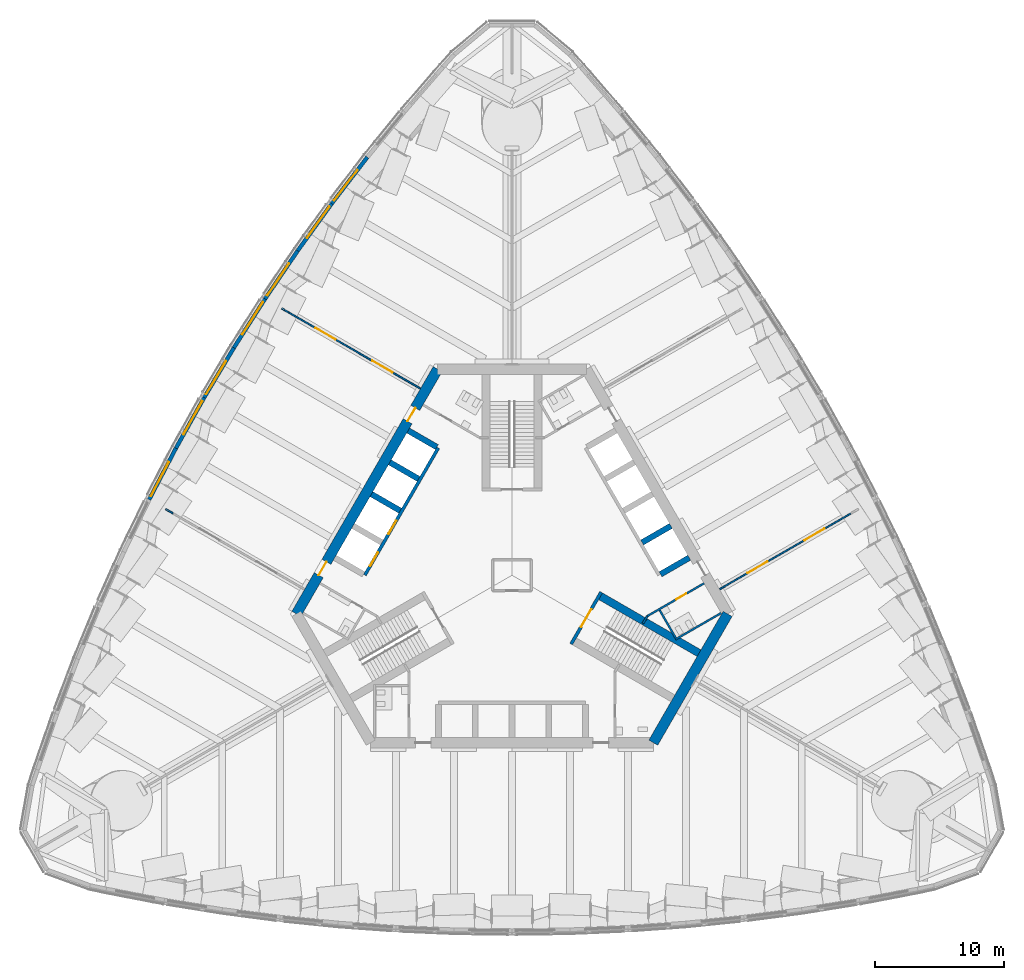
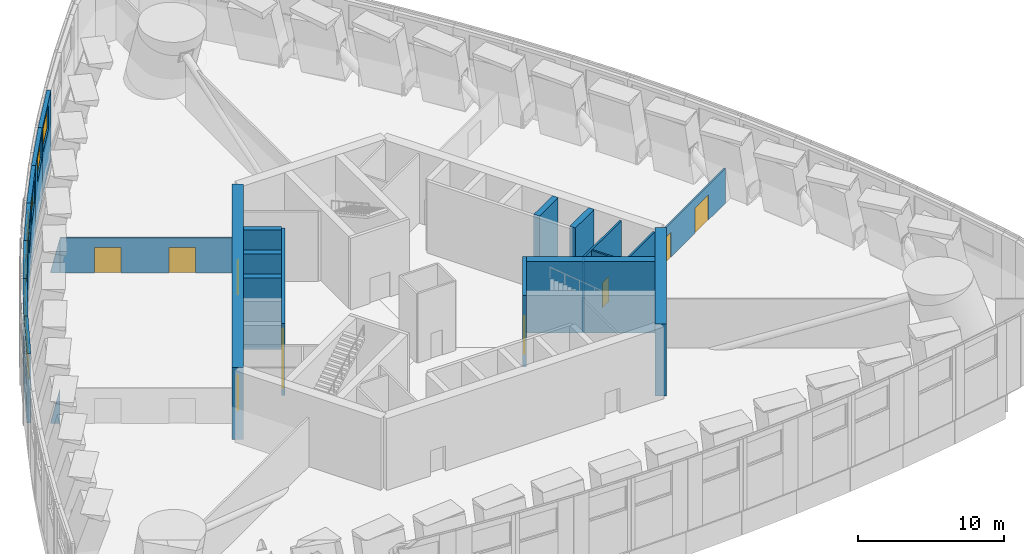
# One storey, part 9 of 28: 25 walls, 10 doors, 7 windows, 17 openings.
"""IFC4 building model written with IfcOpenShell, lengths in metres."""

import ifcopenshell
import ifcopenshell.guid

model = None  # the IFC model being written
_history = None  # IfcOwnerHistory: only IFC2X3 demands one
_inside = {}  # id of a spatial element -> (the spatial element, [elements in it])
_under = {}  # id of a project, library or spatial element -> (it, [spatial elements below it])
_declared = {}  # id of a project -> (the project, [libraries it declares])
_typed = {}  # id of a type object -> (the type object, [elements of that type])
_made_of = {}  # id of a material, layer set ... -> (it, [elements and type objects made of it])


def new_model(schema):
    """Start an empty IFC model of exactly this schema.

    Asked for "IFC4X3", IfcOpenShell would pick the latest addendum, in which some entities
    have other attributes; the version numbers below select the first issue.
    IFC2X3 requires an IfcOwnerHistory on every rooted entity: one is made here for all.
    """
    global model, _history
    if schema == "IFC4X3":
        model = ifcopenshell.file(schema_version=(4, 3, 0, 0))
    else:
        model = ifcopenshell.file(schema=schema)
    _inside.clear()
    _under.clear()
    _declared.clear()
    _typed.clear()
    _made_of.clear()
    _history = None
    if model.schema == "IFC2X3":
        org = make("IfcOrganization", Name="unknown")
        user = make(
            "IfcPersonAndOrganization",
            ThePerson=make("IfcPerson", FamilyName="unknown"),
            TheOrganization=org,
        )
        app = make(
            "IfcApplication",
            ApplicationDeveloper=org,
            Version="unknown",
            ApplicationFullName="unknown",
            ApplicationIdentifier="unknown",
        )
        _history = make(
            "IfcOwnerHistory",
            OwningUser=user,
            OwningApplication=app,
            ChangeAction="ADDED",
            CreationDate=0,
        )
    return model


def make(cls, **values):
    """One entity of the class cls with the attributes given. An attribute that is None is left unset."""
    return model.create_entity(
        cls, **{name: value for name, value in values.items() if value is not None}
    )


def rooted(cls, **values):
    """An entity with a GlobalId (a new one), such as an element, a storey or a relation."""
    return make(cls, GlobalId=ifcopenshell.guid.new(), OwnerHistory=_history, **values)


def si_unit(unit_type, name, prefix=None):
    """IfcSIUnit, for example si_unit("LENGTHUNIT", "METRE", prefix="MILLI")."""
    return make("IfcSIUnit", UnitType=unit_type, Prefix=prefix, Name=name)


def assignment(units):
    """IfcUnitAssignment: the units of a project."""
    return None if units is None else make("IfcUnitAssignment", Units=units)


def point(xyz):
    """IfcCartesianPoint."""
    return None if xyz is None else make("IfcCartesianPoint", Coordinates=xyz)


def direction(xyz):
    """IfcDirection."""
    return None if xyz is None else make("IfcDirection", DirectionRatios=xyz)


def frame(location, z_axis=None, x_axis=None):
    """IfcAxis2Placement3D, a coordinate frame: its origin and axes. An axis left out is left unset."""
    return make(
        "IfcAxis2Placement3D",
        Location=point(location),
        Axis=direction(z_axis),
        RefDirection=direction(x_axis),
    )


def frame_2d(location, x_axis=None):
    """IfcAxis2Placement2D, a coordinate frame in the plane: its origin and x axis."""
    return make(
        "IfcAxis2Placement2D", Location=point(location), RefDirection=direction(x_axis)
    )


def origin():
    """The frame at (0, 0, 0) with its axes left unset."""
    return frame((0.0, 0.0, 0.0))


def place(relative_to, where):
    """IfcLocalPlacement: puts the frame where relative to a parent placement (None: the world)."""
    return make(
        "IfcLocalPlacement", PlacementRelTo=relative_to, RelativePlacement=where
    )


def context(
    kind, dimensions, precision=None, world=None, true_north=None, identifier=None
):
    """IfcGeometricRepresentationContext, for example the 3D "Model" context."""
    return make(
        "IfcGeometricRepresentationContext",
        ContextIdentifier=identifier,
        ContextType=kind,
        CoordinateSpaceDimension=dimensions,
        Precision=precision,
        WorldCoordinateSystem=world,
        TrueNorth=true_north,
    )


def subcontext(parent, identifier, kind, view, scale=None):
    """IfcGeometricRepresentationSubContext, for example "Body" below "Model"."""
    return make(
        "IfcGeometricRepresentationSubContext",
        ContextIdentifier=identifier,
        ContextType=kind,
        ParentContext=parent,
        TargetScale=scale,
        TargetView=view,
    )


def project(units=None, contexts=None):
    """IfcProject with its units and contexts."""
    return rooted(
        "IfcProject",
        Name="project",
        RepresentationContexts=contexts,
        UnitsInContext=assignment(units),
    )


def spatial(cls, under=None, at=None, **own):
    """A site, building, storey or space (cls), placed at a placement, below another one or the project."""
    s = rooted(cls, ObjectPlacement=at, **own)
    if under is not None:
        _under.setdefault(under.id(), (under, []))[1].append(s)
    return s


def polyline(points):
    """IfcPolyline through the points."""
    return make("IfcPolyline", Points=[point(p) for p in points])


def profile(cls, at=None, kind="AREA", **sizes):
    """A parametric profile (cls). Its sizes go by their IFC names, for example OverallWidth=200.0."""
    return make(cls, ProfileType=kind, Position=at, **sizes)


def rectangle(**sizes):
    """IfcRectangleProfileDef."""
    return profile("IfcRectangleProfileDef", **sizes)


def outline(outer, holes=None, kind="AREA"):
    """IfcArbitraryClosedProfileDef: a profile drawn as a closed curve; with holes, ...WithVoids."""
    if holes is None:
        return make("IfcArbitraryClosedProfileDef", ProfileType=kind, OuterCurve=outer)
    return make(
        "IfcArbitraryProfileDefWithVoids",
        ProfileType=kind,
        OuterCurve=outer,
        InnerCurves=holes,
    )


def extrude(swept, where, along, depth):
    """IfcExtrudedAreaSolid: the profile swept, set in the frame where, extruded along a direction by depth."""
    return make(
        "IfcExtrudedAreaSolid",
        SweptArea=swept,
        Position=where,
        ExtrudedDirection=direction(along),
        Depth=depth,
    )


def shape(context_of_items, identifier, shape_type, items):
    """IfcShapeRepresentation: the items that make up one representation, for example the "Body"."""
    return make(
        "IfcShapeRepresentation",
        ContextOfItems=context_of_items,
        RepresentationIdentifier=identifier,
        RepresentationType=shape_type,
        Items=items,
    )


def material(Name=None, Category=None):
    """IfcMaterial."""
    return make("IfcMaterial", Name=Name, Category=Category)


def layer(
    of_material, thickness, ventilated=None, Name=None, Category=None, Priority=None
):
    """IfcMaterialLayer: one layer of a wall or slab, of a material (None: an air gap)."""
    return make(
        "IfcMaterialLayer",
        Material=of_material,
        LayerThickness=thickness,
        IsVentilated=ventilated,
        Name=Name,
        Category=Category,
        Priority=Priority,
    )


def layer_set(layers, Name=None):
    """IfcMaterialLayerSet."""
    return make("IfcMaterialLayerSet", MaterialLayers=layers, LayerSetName=Name)


def made_of(thing, what):
    """Note that an element or type object is made of a material, layer set ...; save() writes the relation."""
    if what is not None:
        _made_of.setdefault(what.id(), (what, []))[1].append(thing)
    return thing


def type_object(cls, material=None, **own):
    """A type object (cls), such as IfcWallType, which elements share."""
    return made_of(rooted(cls, **own), material)


def element(
    cls,
    number,
    at=None,
    inside=None,
    cuts=None,
    type_object=None,
    material=None,
    context=None,
    identifier="Body",
    shape_type=None,
    held_by="IfcProductDefinitionShape",
    body=None,
    shapes=None,
    **own,
):
    """One element of the class cls, such as IfcWall. Its Tag is "e" and its number.

    at: its placement. inside: the storey or other place that contains it. cuts: it is an
    opening in that element (IfcRelVoidsElement). A single representation is given by context,
    identifier, shape_type and body (its items); several are given by shapes. held_by: the class
    of the entity that holds the representations. save() writes the other relations.
    """
    e = rooted(cls, Tag="e%d" % number, ObjectPlacement=at, **own)
    if body is not None:
        shapes = [shape(context, identifier, shape_type, body)]
    if shapes is not None:
        e.Representation = make(held_by, Representations=shapes)
    if inside is not None:
        _inside.setdefault(inside.id(), (inside, []))[1].append(e)
    if cuts is not None:
        rooted(
            "IfcRelVoidsElement", RelatingBuildingElement=cuts, RelatedOpeningElement=e
        )
    if type_object is not None:
        _typed.setdefault(type_object.id(), (type_object, []))[1].append(e)
    return made_of(e, material)


def fill(opening, filler):
    """IfcRelFillsElement: the door or window that sits in an opening."""
    return rooted(
        "IfcRelFillsElement",
        RelatingOpeningElement=opening,
        RelatedBuildingElement=filler,
    )


def aggregate(whole, parts):
    """IfcRelAggregates: a whole, such as a stair, and the parts it consists of."""
    return rooted("IfcRelAggregates", RelatingObject=whole, RelatedObjects=parts)


def save(model, path):
    """Write the relations noted so far, then the file.

    IfcRelAggregates (storeys below a building ...), IfcRelContainedInSpatialStructure (elements
    in a storey), IfcRelDefinesByType, IfcRelAssociatesMaterial and IfcRelDeclares: one each for
    every whole, place, type object, material and project.
    """
    for whole, parts in _under.values():
        aggregate(whole, parts)
    for where, things in _inside.values():
        rooted(
            "IfcRelContainedInSpatialStructure",
            RelatedElements=things,
            RelatingStructure=where,
        )
    for kind, things in _typed.values():
        rooted("IfcRelDefinesByType", RelatedObjects=things, RelatingType=kind)
    for what, things in _made_of.values():
        rooted("IfcRelAssociatesMaterial", RelatedObjects=things, RelatingMaterial=what)
    for by, libraries in _declared.values():
        rooted("IfcRelDeclares", RelatingContext=by, RelatedDefinitions=libraries)
    model.write(path)


model = new_model("IFC4")

# Units and contexts
model_context = context("Model", 3, precision=1e-05, world=origin(), true_north=direction((0.0, 1.0)))
body_context = subcontext(model_context, "Body", "Model", "MODEL_VIEW")
ifc_project = project(units=[si_unit("LENGTHUNIT", "METRE"), si_unit("AREAUNIT", "SQUARE_METRE"), si_unit("VOLUMEUNIT", "CUBIC_METRE"), si_unit("PLANEANGLEUNIT", "RADIAN"), si_unit("MASSUNIT", "GRAM", prefix="KILO")], contexts=[model_context])

# Site, building, storey
site_placement = place(None, origin())
site = spatial("IfcSite", under=ifc_project, at=site_placement, CompositionType="ELEMENT")
building_placement = place(site_placement, origin())
building = spatial("IfcBuilding", under=site, at=building_placement, Name="Trefoil Bronze Tower", CompositionType="ELEMENT")
storey_placement = place(building_placement, frame((0.0, 0.0, 92.10009765625)))
storey = spatial("IfcBuildingStorey", under=building, at=storey_placement, Name="L21", CompositionType="ELEMENT", Elevation=92.10009765625)

# Wall, opening, window
ifc_material_1 = material(Name="Concrete B80", Category="concrete")
ifc_layer_1 = layer(ifc_material_1, 0.300048828125)
ifc_layer_set_1 = layer_set([ifc_layer_1], Name="Belt wall 300")
wall_type_1 = type_object("IfcWallType", Name="Belt wall 300", PredefinedType="SOLIDWALL", material=ifc_layer_set_1)
wall_1_placement = place(storey_placement, frame((-11.230224609375, 32.464599609375, 0.0), z_axis=(0.0, 0.0, 1.0), x_axis=(-0.608784932975, -0.79333530451, 0.0)))
wall_1 = element("IfcWall", 1, at=wall_1_placement, inside=storey, type_object=wall_type_1, Name="Belt wall T1.42", PredefinedType="SOLIDWALL", context=body_context, shape_type="SweptSolid", body=[
    extrude(rectangle(XDim=4.538818359375, YDim=0.300048828125, at=frame_2d((2.26953125, 0.0))), origin(), (0.0, 0.0, 1.0), 5.7998046875),
])
opening_1_placement = place(wall_1_placement, frame((1.23876953125, 0.0, 3.5)))
opening_1 = element("IfcOpeningElement", 2, at=opening_1_placement, cuts=wall_1, Name="Opening LV1", PredefinedType="OPENING", context=body_context, shape_type="SweptSolid", body=[
    extrude(rectangle(XDim=3.0, YDim=2.0, at=frame_2d((1.5, 1.0))), frame((0.0, 0.159912109375, 0.0), z_axis=(0.0, -1.0, 0.0), x_axis=(1.0, 0.0, 0.0)), (0.0, 0.0, 1.0), 0.320068359375),
])
ifc_material_2 = material(Name="Bronze-finish aluminium louvre", Category="aluminium")
window_type = type_object("IfcWindowType", Name="Plant louvre 3000", PartitioningType="SINGLE_PANEL", PredefinedType="USERDEFINED", material=ifc_material_2)
window_1_placement = place(opening_1_placement, origin())
window_1 = element("IfcWindow", 3, at=window_1_placement, inside=storey, type_object=window_type, Name="Plant louvre L21 F3.4.1", ObjectType="LOUVRE", OverallHeight=2.0, OverallWidth=3.0, PartitioningType="SINGLE_PANEL", PredefinedType="USERDEFINED", context=body_context, shape_type="SweptSolid", body=[
    extrude(rectangle(XDim=3.0, YDim=2.0, at=frame_2d((1.5, 1.0))), frame((0.0, 0.030029296875, 0.0), z_axis=(0.0, -1.0, 0.0), x_axis=(1.0, 0.0, 0.0)), (0.0, 0.0, 1.0), 0.06005859375),
])
fill(opening_1, window_1)

wall_2_placement = place(storey_placement, frame((-13.993408203125, 28.86376953125, 0.0), z_axis=(0.0, 0.0, 1.0), x_axis=(-0.585376255171, -0.810761765183, 0.0)))
wall_2 = element("IfcWall", 4, at=wall_2_placement, inside=storey, type_object=wall_type_1, Name="Belt wall T1.43", PredefinedType="SOLIDWALL", context=body_context, shape_type="SweptSolid", body=[
    extrude(rectangle(XDim=4.5234375, YDim=0.300048828125, at=frame_2d((2.26171875, 0.0))), origin(), (0.0, 0.0, 1.0), 5.7998046875),
])
opening_2_placement = place(wall_2_placement, frame((0.300048828125, 0.0, 3.5)))
opening_2 = element("IfcOpeningElement", 5, at=opening_2_placement, cuts=wall_2, Name="Opening LV1", PredefinedType="OPENING", context=body_context, shape_type="SweptSolid", body=[
    extrude(rectangle(XDim=3.0, YDim=2.0, at=frame_2d((1.5, 1.0))), frame((0.0, 0.159912109375, 0.0), z_axis=(0.0, -1.0, 0.0), x_axis=(1.0, 0.0, 0.0)), (0.0, 0.0, 1.0), 0.320068359375),
])
window_2_placement = place(opening_2_placement, origin())
window_2 = element("IfcWindow", 6, at=window_2_placement, inside=storey, type_object=window_type, Name="Plant louvre L21 F3.5.1", ObjectType="LOUVRE", OverallHeight=2.0, OverallWidth=3.0, PartitioningType="SINGLE_PANEL", PredefinedType="USERDEFINED", context=body_context, shape_type="SweptSolid", body=[
    extrude(rectangle(XDim=3.0, YDim=2.0, at=frame_2d((1.5, 1.0))), frame((0.0, 0.030029296875, 0.0), z_axis=(0.0, -1.0, 0.0), x_axis=(1.0, 0.0, 0.0)), (0.0, 0.0, 1.0), 0.06005859375),
])
fill(opening_2, window_2)

wall_3_placement = place(storey_placement, frame((-16.641357421875, 25.1962890625, 0.0), z_axis=(0.0, 0.0, 1.0), x_axis=(-0.561512004239, -0.827468591002, 0.0)))
wall_3 = element("IfcWall", 7, at=wall_3_placement, inside=storey, type_object=wall_type_1, Name="Belt wall T1.44", PredefinedType="SOLIDWALL", context=body_context, shape_type="SweptSolid", body=[
    extrude(rectangle(XDim=4.51171875, YDim=0.300048828125, at=frame_2d((2.255859375, 0.0))), origin(), (0.0, 0.0, 1.0), 5.7998046875),
])
opening_3_placement = place(wall_3_placement, frame((1.2119140625, 0.0, 3.5)))
opening_3 = element("IfcOpeningElement", 8, at=opening_3_placement, cuts=wall_3, Name="Opening LV1", PredefinedType="OPENING", context=body_context, shape_type="SweptSolid", body=[
    extrude(rectangle(XDim=3.0, YDim=2.0, at=frame_2d((1.5, 1.0))), frame((0.0, 0.159912109375, 0.0), z_axis=(0.0, -1.0, 0.0), x_axis=(1.0, 0.0, 0.0)), (0.0, 0.0, 1.0), 0.320068359375),
])
window_3_placement = place(opening_3_placement, origin())
window_3 = element("IfcWindow", 9, at=window_3_placement, inside=storey, type_object=window_type, Name="Plant louvre L21 F3.6.1", ObjectType="LOUVRE", OverallHeight=2.0, OverallWidth=3.0, PartitioningType="SINGLE_PANEL", PredefinedType="USERDEFINED", context=body_context, shape_type="SweptSolid", body=[
    extrude(rectangle(XDim=3.0, YDim=2.0, at=frame_2d((1.5, 1.0))), frame((0.0, 0.030029296875, 0.0), z_axis=(0.0, -1.0, 0.0), x_axis=(1.0, 0.0, 0.0)), (0.0, 0.0, 1.0), 0.06005859375),
])
fill(opening_3, window_3)

wall_4_placement = place(storey_placement, frame((-19.1748046875, 21.462890625, 0.0), z_axis=(0.0, 0.0, 1.0), x_axis=(-0.537243691336, -0.843427066272, 0.0)))
wall_4 = element("IfcWall", 10, at=wall_4_placement, inside=storey, type_object=wall_type_1, Name="Belt wall T1.45", PredefinedType="SOLIDWALL", context=body_context, shape_type="SweptSolid", body=[
    extrude(rectangle(XDim=4.50439453125, YDim=0.300048828125, at=frame_2d((2.252197265625, 0.0))), origin(), (0.0, 0.0, 1.0), 5.7998046875),
])
opening_4_placement = place(wall_4_placement, frame((0.300048828125, 0.0, 3.5)))
opening_4 = element("IfcOpeningElement", 11, at=opening_4_placement, cuts=wall_4, Name="Opening LV1", PredefinedType="OPENING", context=body_context, shape_type="SweptSolid", body=[
    extrude(rectangle(XDim=3.0, YDim=2.0, at=frame_2d((1.5, 1.0))), frame((0.0, 0.159912109375, 0.0), z_axis=(0.0, -1.0, 0.0), x_axis=(1.0, 0.0, 0.0)), (0.0, 0.0, 1.0), 0.320068359375),
])
window_4_placement = place(opening_4_placement, origin())
window_4 = element("IfcWindow", 12, at=window_4_placement, inside=storey, type_object=window_type, Name="Plant louvre L21 F3.7.1", ObjectType="LOUVRE", OverallHeight=2.0, OverallWidth=3.0, PartitioningType="SINGLE_PANEL", PredefinedType="USERDEFINED", context=body_context, shape_type="SweptSolid", body=[
    extrude(rectangle(XDim=3.0, YDim=2.0, at=frame_2d((1.5, 1.0))), frame((0.0, 0.030029296875, 0.0), z_axis=(0.0, -1.0, 0.0), x_axis=(1.0, 0.0, 0.0)), (0.0, 0.0, 1.0), 0.06005859375),
])
fill(opening_4, window_4)

wall_5_placement = place(storey_placement, frame((-21.5947265625, 17.663818359375, 0.0), z_axis=(0.0, 0.0, 1.0), x_axis=(-0.512483962191, -0.858696796604, 0.0)))
wall_5 = element("IfcWall", 13, at=wall_5_placement, inside=storey, type_object=wall_type_1, Name="Belt wall T1.46", PredefinedType="SOLIDWALL", context=body_context, shape_type="SweptSolid", body=[
    extrude(rectangle(XDim=4.50048828125, YDim=0.300048828125, at=frame_2d((2.250244140625, 0.0))), origin(), (0.0, 0.0, 1.0), 5.7998046875),
])
opening_5_placement = place(wall_5_placement, frame((1.200439453125, 0.0, 3.5)))
opening_5 = element("IfcOpeningElement", 14, at=opening_5_placement, cuts=wall_5, Name="Opening LV1", PredefinedType="OPENING", context=body_context, shape_type="SweptSolid", body=[
    extrude(rectangle(XDim=3.0, YDim=2.0, at=frame_2d((1.5, 1.0))), frame((0.0, 0.159912109375, 0.0), z_axis=(0.0, -1.0, 0.0), x_axis=(1.0, 0.0, 0.0)), (0.0, 0.0, 1.0), 0.320068359375),
])
window_5_placement = place(opening_5_placement, origin())
window_5 = element("IfcWindow", 15, at=window_5_placement, inside=storey, type_object=window_type, Name="Plant louvre L21 F3.8.1", ObjectType="LOUVRE", OverallHeight=2.0, OverallWidth=3.0, PartitioningType="SINGLE_PANEL", PredefinedType="USERDEFINED", context=body_context, shape_type="SweptSolid", body=[
    extrude(rectangle(XDim=3.0, YDim=2.0, at=frame_2d((1.5, 1.0))), frame((0.0, 0.030029296875, 0.0), z_axis=(0.0, -1.0, 0.0), x_axis=(1.0, 0.0, 0.0)), (0.0, 0.0, 1.0), 0.06005859375),
])
fill(opening_5, window_5)

wall_6_placement = place(storey_placement, frame((-23.901123046875, 13.79931640625, 0.0), z_axis=(0.0, 0.0, 1.0), x_axis=(-0.487415216275, -0.87317031955, 0.0)))
wall_6 = element("IfcWall", 16, at=wall_6_placement, inside=storey, type_object=wall_type_1, Name="Belt wall T1.47", PredefinedType="SOLIDWALL", context=body_context, shape_type="SweptSolid", body=[
    extrude(rectangle(XDim=4.50048828125, YDim=0.300048828125, at=frame_2d((2.250244140625, 0.0))), origin(), (0.0, 0.0, 1.0), 5.7998046875),
])
opening_6_placement = place(wall_6_placement, frame((0.300048828125, 0.0, 3.5)))
opening_6 = element("IfcOpeningElement", 17, at=opening_6_placement, cuts=wall_6, Name="Opening LV1", PredefinedType="OPENING", context=body_context, shape_type="SweptSolid", body=[
    extrude(rectangle(XDim=3.0, YDim=2.0, at=frame_2d((1.5, 1.0))), frame((0.0, 0.159912109375, 0.0), z_axis=(0.0, -1.0, 0.0), x_axis=(1.0, 0.0, 0.0)), (0.0, 0.0, 1.0), 0.320068359375),
])
window_6_placement = place(opening_6_placement, origin())
window_6 = element("IfcWindow", 18, at=window_6_placement, inside=storey, type_object=window_type, Name="Plant louvre L21 F3.9.1", ObjectType="LOUVRE", OverallHeight=2.0, OverallWidth=3.0, PartitioningType="SINGLE_PANEL", PredefinedType="USERDEFINED", context=body_context, shape_type="SweptSolid", body=[
    extrude(rectangle(XDim=3.0, YDim=2.0, at=frame_2d((1.5, 1.0))), frame((0.0, 0.030029296875, 0.0), z_axis=(0.0, -1.0, 0.0), x_axis=(1.0, 0.0, 0.0)), (0.0, 0.0, 1.0), 0.06005859375),
])
fill(opening_6, window_6)

wall_7_placement = place(storey_placement, frame((-26.0947265625, 9.86962890625, 0.0), z_axis=(0.0, 0.0, 1.0), x_axis=(-0.461810056307, -0.886978845235, 0.0)))
wall_7 = element("IfcWall", 19, at=wall_7_placement, inside=storey, type_object=wall_type_1, Name="Belt wall T1.48", PredefinedType="SOLIDWALL", context=body_context, shape_type="SweptSolid", body=[
    extrude(rectangle(XDim=4.504150390625, YDim=0.300048828125, at=frame_2d((2.251953125, 0.0))), origin(), (0.0, 0.0, 1.0), 5.7998046875),
])
opening_7_placement = place(wall_7_placement, frame((1.204345703125, 0.0, 3.5)))
opening_7 = element("IfcOpeningElement", 20, at=opening_7_placement, cuts=wall_7, Name="Opening LV1", PredefinedType="OPENING", context=body_context, shape_type="SweptSolid", body=[
    extrude(rectangle(XDim=3.0, YDim=2.0, at=frame_2d((1.5, 1.0))), frame((0.0, 0.159912109375, 0.0), z_axis=(0.0, -1.0, 0.0), x_axis=(1.0, 0.0, 0.0)), (0.0, 0.0, 1.0), 0.320068359375),
])
window_7_placement = place(opening_7_placement, origin())
window_7 = element("IfcWindow", 21, at=window_7_placement, inside=storey, type_object=window_type, Name="Plant louvre L21 F3.10.1", ObjectType="LOUVRE", OverallHeight=2.0, OverallWidth=3.0, PartitioningType="SINGLE_PANEL", PredefinedType="USERDEFINED", context=body_context, shape_type="SweptSolid", body=[
    extrude(rectangle(XDim=3.0, YDim=2.0, at=frame_2d((1.5, 1.0))), frame((0.0, 0.030029296875, 0.0), z_axis=(0.0, -1.0, 0.0), x_axis=(1.0, 0.0, 0.0)), (0.0, 0.0, 1.0), 0.06005859375),
])
fill(opening_7, window_7)

# Wall
ifc_material_3 = material(Name="Concrete B80", Category="concrete")
ifc_layer_2 = layer(ifc_material_3, 0.800048828125)
ifc_layer_set_2 = layer_set([ifc_layer_2], Name="Core wall 800")
wall_type_2 = type_object("IfcWallType", Name="Core wall 800", PredefinedType="SHEAR", material=ifc_layer_set_2)
wall_8_placement = place(storey_placement, frame((10.9697265625, -13.0, 0.0), z_axis=(0.0, 0.0, 1.0), x_axis=(0.499995765644, 0.866027848477, 0.0)))
element("IfcWall", 22, at=wall_8_placement, inside=storey, type_object=wall_type_2, Name="Core short wall 1 L21", PredefinedType="SHEAR", context=body_context, shape_type="SweptSolid", body=[
    extrude(rectangle(XDim=11.546875, YDim=0.800048828125, at=frame_2d((5.7734375, 0.0))), origin(), (0.0, 0.0, 1.0), 6.0),
])

# Wall, openings, doors
wall_9_placement = place(storey_placement, frame((-5.7734375, 16.0, 0.0), z_axis=(0.0, 0.0, 1.0), x_axis=(-0.500002442456, -0.866023993627, 0.0)))
wall_9 = element("IfcWall", 23, at=wall_9_placement, inside=storey, type_object=wall_type_2, Name="Core long wall 3 L21", PredefinedType="SHEAR", context=body_context, shape_type="SweptSolid", body=[
    extrude(rectangle(XDim=21.939453125, YDim=0.800048828125, at=frame_2d((10.9697265625, 0.0))), origin(), (0.0, 0.0, 1.0), 6.0),
])
opening_8_placement = place(wall_9_placement, frame((17.269775390625, 0.0, 0.0)))
opening_8 = element("IfcOpeningElement", 24, at=opening_8_placement, cuts=wall_9, Name="Opening D2", PredefinedType="OPENING", context=body_context, shape_type="SweptSolid", body=[
    extrude(rectangle(XDim=1.199951171875, YDim=2.10009765625, at=frame_2d((0.60009765625, 1.050048828125))), frame((0.0, 0.409912109375, 0.0), z_axis=(0.0, -1.0, 0.0), x_axis=(1.0, 0.0, 0.0)), (0.0, 0.0, 1.0), 0.820068359375),
])
opening_9_placement = place(wall_9_placement, frame((3.4697265625, 0.0, 0.0)))
opening_9 = element("IfcOpeningElement", 25, at=opening_9_placement, cuts=wall_9, Name="Opening D2", PredefinedType="OPENING", context=body_context, shape_type="SweptSolid", body=[
    extrude(rectangle(XDim=1.199951171875, YDim=2.10009765625, at=frame_2d((0.60009765625, 1.050048828125))), frame((0.0, 0.409912109375, 0.0), z_axis=(0.0, -1.0, 0.0), x_axis=(1.0, 0.0, 0.0)), (0.0, 0.0, 1.0), 0.820068359375),
])
ifc_material_4 = material(Name="Steel door", Category="steel")
door_type_1 = type_object("IfcDoorType", Name="Lobby door 1200", OperationType="SINGLE_SWING_RIGHT", PredefinedType="DOOR", material=ifc_material_4)
door_1_placement = place(opening_8_placement, origin())
door_1 = element("IfcDoor", 26, at=door_1_placement, inside=storey, type_object=door_type_1, Name="Lobby door F3+ L21", OperationType="SINGLE_SWING_RIGHT", OverallHeight=2.10009765625, OverallWidth=1.199951171875, PredefinedType="DOOR", context=body_context, shape_type="SweptSolid", body=[
    extrude(rectangle(XDim=1.199951171875, YDim=2.10009765625, at=frame_2d((0.60009765625, 1.050048828125))), frame((0.0, 0.02490234375, 0.0), z_axis=(0.0, -1.0, 0.0), x_axis=(1.0, 0.0, 0.0)), (0.0, 0.0, 1.0), 0.050048828125),
])
fill(opening_8, door_1)
door_2_placement = place(opening_9_placement, origin())
door_2 = element("IfcDoor", 27, at=door_2_placement, inside=storey, type_object=door_type_1, Name="Lobby door F3- L21", OperationType="SINGLE_SWING_LEFT", OverallHeight=2.10009765625, OverallWidth=1.199951171875, PredefinedType="DOOR", context=body_context, shape_type="SweptSolid", body=[
    extrude(rectangle(XDim=1.199951171875, YDim=2.10009765625, at=frame_2d((0.60009765625, 1.050048828125))), frame((0.0, 0.02490234375, 0.0), z_axis=(0.0, -1.0, 0.0), x_axis=(1.0, 0.0, 0.0)), (0.0, 0.0, 1.0), 0.050048828125),
])
fill(opening_9, door_2)

ifc_material_5 = material(Name="Glazed partition", Category="glass")
ifc_layer_3 = layer(ifc_material_5, 0.1201171875)
ifc_layer_set_3 = layer_set([ifc_layer_3], Name="Glazed partition 120")
wall_type_3 = type_object("IfcWallType", Name="Glazed partition 120", PredefinedType="PARTITIONING", material=ifc_layer_set_3)
wall_10_placement = place(storey_placement, frame((16.1220703125, -1.084228515625, 0.0), z_axis=(0.0, 0.0, 1.0), x_axis=(0.866023947468, 0.500002522405, 0.0)))
wall_10 = element("IfcWall", 28, at=wall_10_placement, inside=storey, type_object=wall_type_3, Name="Partition F2 L21", PredefinedType="PARTITIONING", context=body_context, shape_type="SweptSolid", body=[
    extrude(rectangle(XDim=11.771484375, YDim=0.1201171875, at=frame_2d((5.8857421875, 0.0))), origin(), (0.0, 0.0, 1.0), 2.89990234375),
])
opening_10_placement = place(wall_10_placement, frame((2.5, 0.0, 0.0)))
opening_10 = element("IfcOpeningElement", 29, at=opening_10_placement, cuts=wall_10, Name="Opening D10", PredefinedType="OPENING", context=body_context, shape_type="SweptSolid", body=[
    extrude(rectangle(XDim=1.800048828125, YDim=2.10009765625, at=frame_2d((0.89990234375, 1.050048828125))), frame((0.0, 0.070068359375, 0.0), z_axis=(0.0, -1.0, 0.0), x_axis=(1.0, 0.0, 0.0)), (0.0, 0.0, 1.0), 0.14013671875),
])
opening_11_placement = place(wall_10_placement, frame((7.60009765625, 0.0, 0.0)))
opening_11 = element("IfcOpeningElement", 30, at=opening_11_placement, cuts=wall_10, Name="Opening D10", PredefinedType="OPENING", context=body_context, shape_type="SweptSolid", body=[
    extrude(rectangle(XDim=1.800048828125, YDim=2.10009765625, at=frame_2d((0.89990234375, 1.050048828125))), frame((0.0, 0.070068359375, 0.0), z_axis=(0.0, -1.0, 0.0), x_axis=(1.0, 0.0, 0.0)), (0.0, 0.0, 1.0), 0.14013671875),
])
ifc_material_6 = material(Name="Timber door", Category="wood")
door_type_2 = type_object("IfcDoorType", Name="Double door 1800", OperationType="DOUBLE_DOOR_SINGLE_SWING", PredefinedType="DOOR", material=ifc_material_6)
door_3_placement = place(opening_10_placement, origin())
door_3 = element("IfcDoor", 31, at=door_3_placement, inside=storey, type_object=door_type_2, Name="Water treatment plant room door F2 L21", OperationType="DOUBLE_DOOR_SINGLE_SWING", OverallHeight=2.10009765625, OverallWidth=1.800048828125, PredefinedType="DOOR", context=body_context, shape_type="SweptSolid", body=[
    extrude(rectangle(XDim=1.800048828125, YDim=2.10009765625, at=frame_2d((0.89990234375, 1.050048828125))), frame((0.0, 0.02490234375, 0.0), z_axis=(0.0, -1.0, 0.0), x_axis=(1.0, 0.0, 0.0)), (0.0, 0.0, 1.0), 0.050048828125),
])
fill(opening_10, door_3)
door_4_placement = place(opening_11_placement, origin())
door_4 = element("IfcDoor", 32, at=door_4_placement, inside=storey, type_object=door_type_2, Name="Water treatment plant room door F2 L21", OperationType="DOUBLE_DOOR_SINGLE_SWING", OverallHeight=2.10009765625, OverallWidth=1.800048828125, PredefinedType="DOOR", context=body_context, shape_type="SweptSolid", body=[
    extrude(rectangle(XDim=1.800048828125, YDim=2.10009765625, at=frame_2d((0.89990234375, 1.050048828125))), frame((0.0, 0.02490234375, 0.0), z_axis=(0.0, -1.0, 0.0), x_axis=(1.0, 0.0, 0.0)), (0.0, 0.0, 1.0), 0.050048828125),
])
fill(opening_11, door_4)

# Walls
wall_11_placement = place(storey_placement, frame((-26.31640625, 4.801513671875, 0.0), z_axis=(0.0, 0.0, 1.0), x_axis=(-0.866073599808, 0.499916512745, 0.0)))
element("IfcWall", 33, at=wall_11_placement, inside=storey, type_object=wall_type_3, Name="Partition F3 L21", PredefinedType="PARTITIONING", context=body_context, shape_type="SweptSolid", body=[
    extrude(outline(polyline([(0.0, 0.0), (0.6533203125, 0.0), (0.6533203125, 0.0498046875), (0.0, 2.89990234375), (0.0, 0.0)])), frame((0.0, 0.06005859375, 0.0), z_axis=(0.0, -1.0, 0.0), x_axis=(1.0, 0.0, 0.0)), (0.0, 0.0, 1.0), 0.1201171875),
])
wall_12_placement = place(storey_placement, frame((-17.31640625, 20.389892578125, 0.0), z_axis=(0.0, 0.0, 1.0), x_axis=(-0.865911816314, 0.500196687681, 0.0)))
element("IfcWall", 34, at=wall_12_placement, inside=storey, type_object=wall_type_3, Name="Partition F3 L21", PredefinedType="PARTITIONING", context=body_context, shape_type="SweptSolid", body=[
    extrude(outline(polyline([(0.0, 0.0), (0.653564453125, 0.0), (0.6533203125, 0.0498046875), (0.0, 2.89990234375), (0.0, 0.0)])), frame((0.0, 0.06005859375, 0.0), z_axis=(0.0, -1.0, 0.0), x_axis=(1.0, 0.0, 0.0)), (0.0, 0.0, 1.0), 0.1201171875),
])

# Wall, openings, doors
wall_13_placement = place(storey_placement, frame((-7.1220703125, 14.504150390625, 0.0), z_axis=(0.0, 0.0, 1.0), x_axis=(-0.866023947468, 0.500002522405, 0.0)))
wall_13 = element("IfcWall", 35, at=wall_13_placement, inside=storey, type_object=wall_type_3, Name="Partition F3 L21", PredefinedType="PARTITIONING", context=body_context, shape_type="SweptSolid", body=[
    extrude(rectangle(XDim=11.771484375, YDim=0.1201171875, at=frame_2d((5.8857421875, 0.0))), origin(), (0.0, 0.0, 1.0), 2.89990234375),
])
opening_12_placement = place(wall_13_placement, frame((2.5, 0.0, 0.0)))
opening_12 = element("IfcOpeningElement", 36, at=opening_12_placement, cuts=wall_13, Name="Opening D10", PredefinedType="OPENING", context=body_context, shape_type="SweptSolid", body=[
    extrude(rectangle(XDim=1.800048828125, YDim=2.10009765625, at=frame_2d((0.89990234375, 1.050048828125))), frame((0.0, 0.070068359375, 0.0), z_axis=(0.0, -1.0, 0.0), x_axis=(1.0, 0.0, 0.0)), (0.0, 0.0, 1.0), 0.14013671875),
])
opening_13_placement = place(wall_13_placement, frame((7.60009765625, 0.0, 0.0)))
opening_13 = element("IfcOpeningElement", 37, at=opening_13_placement, cuts=wall_13, Name="Opening D10", PredefinedType="OPENING", context=body_context, shape_type="SweptSolid", body=[
    extrude(rectangle(XDim=1.800048828125, YDim=2.10009765625, at=frame_2d((0.89990234375, 1.050048828125))), frame((0.0, 0.070068359375, 0.0), z_axis=(0.0, -1.0, 0.0), x_axis=(1.0, 0.0, 0.0)), (0.0, 0.0, 1.0), 0.14013671875),
])
door_5_placement = place(opening_12_placement, origin())
door_5 = element("IfcDoor", 38, at=door_5_placement, inside=storey, type_object=door_type_2, Name="Transformer plant room door F3 L21", OperationType="DOUBLE_DOOR_SINGLE_SWING", OverallHeight=2.10009765625, OverallWidth=1.800048828125, PredefinedType="DOOR", context=body_context, shape_type="SweptSolid", body=[
    extrude(rectangle(XDim=1.800048828125, YDim=2.10009765625, at=frame_2d((0.89990234375, 1.050048828125))), frame((0.0, 0.02490234375, 0.0), z_axis=(0.0, -1.0, 0.0), x_axis=(1.0, 0.0, 0.0)), (0.0, 0.0, 1.0), 0.050048828125),
])
fill(opening_12, door_5)
door_6_placement = place(opening_13_placement, origin())
door_6 = element("IfcDoor", 39, at=door_6_placement, inside=storey, type_object=door_type_2, Name="Transformer plant room door F3 L21", OperationType="DOUBLE_DOOR_SINGLE_SWING", OverallHeight=2.10009765625, OverallWidth=1.800048828125, PredefinedType="DOOR", context=body_context, shape_type="SweptSolid", body=[
    extrude(rectangle(XDim=1.800048828125, YDim=2.10009765625, at=frame_2d((0.89990234375, 1.050048828125))), frame((0.0, 0.02490234375, 0.0), z_axis=(0.0, -1.0, 0.0), x_axis=(1.0, 0.0, 0.0)), (0.0, 0.0, 1.0), 0.050048828125),
])
fill(opening_13, door_6)

# Walls
ifc_material_7 = material(Name="Concrete B80", Category="concrete")
ifc_layer_4 = layer(ifc_material_7, 0.449951171875)
ifc_layer_set_4 = layer_set([ifc_layer_4], Name="Outrigger shaft wall 450")
wall_type_4 = type_object("IfcWallType", Name="Outrigger shaft wall 450", PredefinedType="SHEAR", material=ifc_layer_set_4)
for number, where, z_axis, x_axis, name in (
    (40, (11.531982421875, 0.076171875, 0.0), (0.0, 0.0, 1.0), (0.866005588531, 0.500034319456, 0.0), "Lift shaft side wall B0 L21"),
    (41, (10.10693359375, 2.54443359375, 0.0), (0.0, 0.0, 1.0), (0.866046643894, 0.499963209246, 0.0), "Lift shaft side wall B1 L21"),
):
    element("IfcWall", number, at=place(storey_placement, frame(where, z_axis=z_axis, x_axis=x_axis)), inside=storey, type_object=wall_type_4, Name=name, PredefinedType="SHEAR", context=body_context, shape_type="SweptSolid", body=[
        extrude(rectangle(XDim=2.574951171875, YDim=0.449951171875, at=frame_2d((1.28759765625, 0.0))), origin(), (0.0, 0.0, 1.0), 6.0),
    ])
wall_14_placement = place(storey_placement, frame((-5.831787109375, 9.94873046875, 0.0), z_axis=(0.0, 0.0, 1.0), x_axis=(-0.866029291668, 0.499993265928, 0.0)))
element("IfcWall", 42, at=wall_14_placement, inside=storey, type_object=wall_type_4, Name="Lift shaft side wall C0 L21", PredefinedType="SHEAR", context=body_context, shape_type="SweptSolid", body=[
    extrude(rectangle(XDim=2.5751953125, YDim=0.449951171875, at=frame_2d((1.28759765625, 0.0))), origin(), (0.0, 0.0, 1.0), 6.0),
])
for number, where, z_axis, x_axis, name in (
    (43, (-7.2568359375, 7.480712890625, 0.0), (0.0, 0.0, 1.0), (-0.866046643894, 0.499963209246, 0.0), "Lift shaft side wall C1 L21"),
    (44, (-8.681884765625, 5.012451171875, 0.0), (0.0, 0.0, 1.0), (-0.866005588531, 0.500034319456, 0.0), "Lift shaft side wall C2 L21"),
):
    element("IfcWall", number, at=place(storey_placement, frame(where, z_axis=z_axis, x_axis=x_axis)), inside=storey, type_object=wall_type_4, Name=name, PredefinedType="SHEAR", context=body_context, shape_type="SweptSolid", body=[
        extrude(rectangle(XDim=2.574951171875, YDim=0.449951171875, at=frame_2d((1.28759765625, 0.0))), origin(), (0.0, 0.0, 1.0), 6.0),
    ])

# Wall, opening, door
ifc_material_8 = material(Name="Gypsum board on steel studs", Category="steel")
ifc_layer_5 = layer(ifc_material_8, 0.14990234375)
ifc_layer_set_5 = layer_set([ifc_layer_5], Name="Partition 150")
wall_type_5 = type_object("IfcWallType", Name="Partition 150", PredefinedType="PARTITIONING", material=ifc_layer_set_5)
wall_15_placement = place(storey_placement, frame((10.4951171875, -3.17822265625, 0.0), z_axis=(0.0, 0.0, 1.0), x_axis=(0.86602216432, 0.500005610874, 0.0)))
wall_15 = element("IfcWall", 45, at=wall_15_placement, inside=storey, type_object=wall_type_5, Name="Passage wall F2- L21", PredefinedType="PARTITIONING", context=body_context, shape_type="SweptSolid", body=[
    extrude(rectangle(XDim=5.10009765625, YDim=0.14990234375, at=frame_2d((2.550048828125, 0.0))), origin(), (0.0, 0.0, 1.0), 5.7998046875),
])
opening_14_placement = place(wall_15_placement, frame((2.60009765625, 0.0, 0.0)))
opening_14 = element("IfcOpeningElement", 46, at=opening_14_placement, cuts=wall_15, Name="Opening D3", PredefinedType="OPENING", context=body_context, shape_type="SweptSolid", body=[
    extrude(rectangle(XDim=0.89990234375, YDim=2.10009765625, at=frame_2d((0.449951171875, 1.050048828125))), frame((0.0, 0.0849609375, 0.0), z_axis=(0.0, -1.0, 0.0), x_axis=(1.0, 0.0, 0.0)), (0.0, 0.0, 1.0), 0.169921875),
])
ifc_material_9 = material(Name="Timber door", Category="wood")
door_type_3 = type_object("IfcDoorType", Name="WC door 900", OperationType="SINGLE_SWING_LEFT", PredefinedType="DOOR", material=ifc_material_9)
door_7_placement = place(opening_14_placement, frame((0.89990234375, 0.0, 0.0), z_axis=(0.0, 0.0, 1.0), x_axis=(-1.0, 0.0, 0.0)))
door_7 = element("IfcDoor", 47, at=door_7_placement, inside=storey, type_object=door_type_3, Name="WC (women) door L21", OperationType="SINGLE_SWING_RIGHT", OverallHeight=2.10009765625, OverallWidth=0.89990234375, PredefinedType="DOOR", context=body_context, shape_type="SweptSolid", body=[
    extrude(rectangle(XDim=0.89990234375, YDim=2.10009765625, at=frame_2d((0.449951171875, 1.050048828125))), frame((0.0, 0.02490234375, 0.0), z_axis=(0.0, -1.0, 0.0), x_axis=(1.0, 0.0, 0.0)), (0.0, 0.0, 1.0), 0.050048828125),
])
fill(opening_14, door_7)

# Walls
wall_16_placement = place(storey_placement, frame((10.4951171875, -3.17822265625, 0.0), z_axis=(0.0, 0.0, 1.0), x_axis=(-0.499842556608, -0.866116284689, 0.0)))
element("IfcWall", 48, at=wall_16_placement, inside=storey, type_object=wall_type_5, Name="WC wall ST1+1 L21", PredefinedType="PARTITIONING", context=body_context, shape_type="SweptSolid", body=[
    extrude(rectangle(XDim=0.645263671875, YDim=0.14990234375, at=frame_2d((0.32275390625, 0.0))), origin(), (0.0, 0.0, 1.0), 5.7998046875),
])
wall_17_placement = place(storey_placement, frame((12.691162109375, -4.98193359375, 0.0), z_axis=(0.0, 0.0, 1.0), x_axis=(0.8660249478, 0.500000789788, 0.0)))
element("IfcWall", 49, at=wall_17_placement, inside=storey, type_object=wall_type_5, Name="WC partition WC (women) L21", PredefinedType="PARTITIONING", context=body_context, shape_type="SweptSolid", body=[
    extrude(rectangle(XDim=4.10009765625, YDim=0.14990234375, at=frame_2d((2.050048828125, 0.0))), origin(), (0.0, 0.0, 1.0), 5.7998046875),
])
wall_18_placement = place(storey_placement, frame((11.463623046875, -2.70556640625, 0.0), z_axis=(0.0, 0.0, 1.0), x_axis=(0.50001992892, -0.866013897511, 0.0)))
element("IfcWall", 50, at=wall_18_placement, inside=storey, type_object=wall_type_5, Name="WC partition WC (women) L21", PredefinedType="PARTITIONING", context=body_context, shape_type="SweptSolid", body=[
    extrude(rectangle(XDim=2.51025390625, YDim=0.14990234375, at=frame_2d((1.255126953125, 0.0))), origin(), (0.0, 0.0, 1.0), 5.7998046875),
])

# Wall, openings, doors
ifc_material_10 = material(Name="Concrete B80", Category="concrete")
ifc_layer_6 = layer(ifc_material_10, 0.25)
ifc_layer_set_6 = layer_set([ifc_layer_6], Name="Shaft wall 250")
wall_type_6 = type_object("IfcWallType", Name="Shaft wall 250", PredefinedType="SHEAR", material=ifc_layer_set_6)
wall_19_placement = place(storey_placement, frame((-5.7236328125, 9.88623046875, 0.0), z_axis=(0.0, 0.0, 1.0), x_axis=(-0.500001763848, -0.866024385424, 0.0)))
wall_19 = element("IfcWall", 51, at=wall_19_placement, inside=storey, type_object=wall_type_6, Name="Lift shaft front wall C L21", PredefinedType="SHEAR", context=body_context, shape_type="SweptSolid", body=[
    extrude(rectangle(XDim=11.39990234375, YDim=0.25, at=frame_2d((5.699951171875, 0.0))), origin(), (0.0, 0.0, 1.0), 6.0),
])
opening_15_placement = place(wall_19_placement, frame((6.52490234375, 0.0, 0.0)))
opening_15 = element("IfcOpeningElement", 52, at=opening_15_placement, cuts=wall_19, Name="Opening LD-FL1", PredefinedType="OPENING", context=body_context, shape_type="SweptSolid", body=[
    extrude(rectangle(XDim=1.199951171875, YDim=2.199951171875, at=frame_2d((0.60009765625, 1.10009765625))), frame((0.0, 0.135009765625, 0.0), z_axis=(0.0, -1.0, 0.0), x_axis=(1.0, 0.0, 0.0)), (0.0, 0.0, 1.0), 0.27001953125),
])
opening_16_placement = place(wall_19_placement, frame((9.375, 0.0, 0.0)))
opening_16 = element("IfcOpeningElement", 53, at=opening_16_placement, cuts=wall_19, Name="Opening LD-FL2", PredefinedType="OPENING", context=body_context, shape_type="SweptSolid", body=[
    extrude(rectangle(XDim=1.199951171875, YDim=2.199951171875, at=frame_2d((0.60009765625, 1.10009765625))), frame((0.0, 0.135009765625, 0.0), z_axis=(0.0, -1.0, 0.0), x_axis=(1.0, 0.0, 0.0)), (0.0, 0.0, 1.0), 0.27001953125),
])
ifc_material_11 = material(Name="Steel door", Category="steel")
door_type_4 = type_object("IfcDoorType", Name="Lift landing door 1200", OperationType="DOUBLE_DOOR_SLIDING", PredefinedType="DOOR", material=ifc_material_11)
door_8_placement = place(opening_15_placement, origin())
door_8 = element("IfcDoor", 54, at=door_8_placement, inside=storey, type_object=door_type_4, Name="Lift FL1 landing door L21", OperationType="DOUBLE_DOOR_SLIDING", OverallHeight=2.199951171875, OverallWidth=1.199951171875, PredefinedType="DOOR", context=body_context, shape_type="SweptSolid", body=[
    extrude(rectangle(XDim=1.199951171875, YDim=2.199951171875, at=frame_2d((0.60009765625, 1.10009765625))), frame((0.0, 0.02490234375, 0.0), z_axis=(0.0, -1.0, 0.0), x_axis=(1.0, 0.0, 0.0)), (0.0, 0.0, 1.0), 0.050048828125),
])
fill(opening_15, door_8)
door_9_placement = place(opening_16_placement, origin())
door_9 = element("IfcDoor", 55, at=door_9_placement, inside=storey, type_object=door_type_4, Name="Lift FL2 landing door L21", OperationType="DOUBLE_DOOR_SLIDING", OverallHeight=2.199951171875, OverallWidth=1.199951171875, PredefinedType="DOOR", context=body_context, shape_type="SweptSolid", body=[
    extrude(rectangle(XDim=1.199951171875, YDim=2.199951171875, at=frame_2d((0.60009765625, 1.10009765625))), frame((0.0, 0.02490234375, 0.0), z_axis=(0.0, -1.0, 0.0), x_axis=(1.0, 0.0, 0.0)), (0.0, 0.0, 1.0), 0.050048828125),
])
fill(opening_16, door_9)

# Wall, opening, door
wall_20_placement = place(storey_placement, frame((4.5966796875, -5.338623046875, 0.0), z_axis=(0.0, 0.0, 1.0), x_axis=(0.499984536904, 0.866034331223, 0.0)))
wall_20 = element("IfcWall", 56, at=wall_20_placement, inside=storey, type_object=wall_type_6, Name="Stair end wall ST1 L21", PredefinedType="SHEAR", context=body_context, shape_type="SweptSolid", body=[
    extrude(rectangle(XDim=4.650146484375, YDim=0.25, at=frame_2d((2.3251953125, 0.0))), origin(), (0.0, 0.0, 1.0), 6.0),
])
opening_17_placement = place(wall_20_placement, frame((1.52490234375, 0.0, 0.0)))
opening_17 = element("IfcOpeningElement", 57, at=opening_17_placement, cuts=wall_20, Name="Opening D1", PredefinedType="OPENING", context=body_context, shape_type="SweptSolid", body=[
    extrude(rectangle(XDim=1.60009765625, YDim=2.10009765625, at=frame_2d((0.800048828125, 1.050048828125))), frame((0.0, 0.135009765625, 0.0), z_axis=(0.0, -1.0, 0.0), x_axis=(1.0, 0.0, 0.0)), (0.0, 0.0, 1.0), 0.27001953125),
])
ifc_material_12 = material(Name="Steel door", Category="steel")
door_type_5 = type_object("IfcDoorType", Name="Stair door 1600", OperationType="DOUBLE_DOOR_SINGLE_SWING", PredefinedType="DOOR", material=ifc_material_12)
door_10_placement = place(opening_17_placement, frame((1.60009765625, 0.0, 0.0), z_axis=(0.0, 0.0, 1.0), x_axis=(-1.0, 0.0, 0.0)))
door_10 = element("IfcDoor", 58, at=door_10_placement, inside=storey, type_object=door_type_5, Name="Stair door ST1 L21", OperationType="DOUBLE_DOOR_SINGLE_SWING", OverallHeight=2.10009765625, OverallWidth=1.60009765625, PredefinedType="DOOR", context=body_context, shape_type="SweptSolid", body=[
    extrude(rectangle(XDim=1.60009765625, YDim=2.10009765625, at=frame_2d((0.800048828125, 1.050048828125))), frame((0.0, 0.02490234375, 0.0), z_axis=(0.0, -1.0, 0.0), x_axis=(1.0, 0.0, 0.0)), (0.0, 0.0, 1.0), 0.050048828125),
])
fill(opening_17, door_10)

# Wall
ifc_material_13 = material(Name="Concrete B80", Category="concrete")
ifc_layer_7 = layer(ifc_material_13, 0.60009765625)
ifc_layer_set_7 = layer_set([ifc_layer_7], Name="Stair wall 600")
wall_type_7 = type_object("IfcWallType", Name="Stair wall 600", PredefinedType="SHEAR", material=ifc_layer_set_7)
wall_21_placement = place(storey_placement, frame((6.663330078125, -1.5087890625, 0.0), z_axis=(0.0, 0.0, 1.0), x_axis=(0.866019375473, -0.500010441196, 0.0)))
element("IfcWall", 59, at=wall_21_placement, inside=storey, type_object=wall_type_7, Name="Stair wall ST1 L21", PredefinedType="SHEAR", context=body_context, shape_type="SweptSolid", body=[
    extrude(rectangle(XDim=9.074951171875, YDim=0.60009765625, at=frame_2d((4.53759765625, 0.0))), origin(), (0.0, 0.0, 1.0), 6.0),
])

save(model, "model.ifc")
